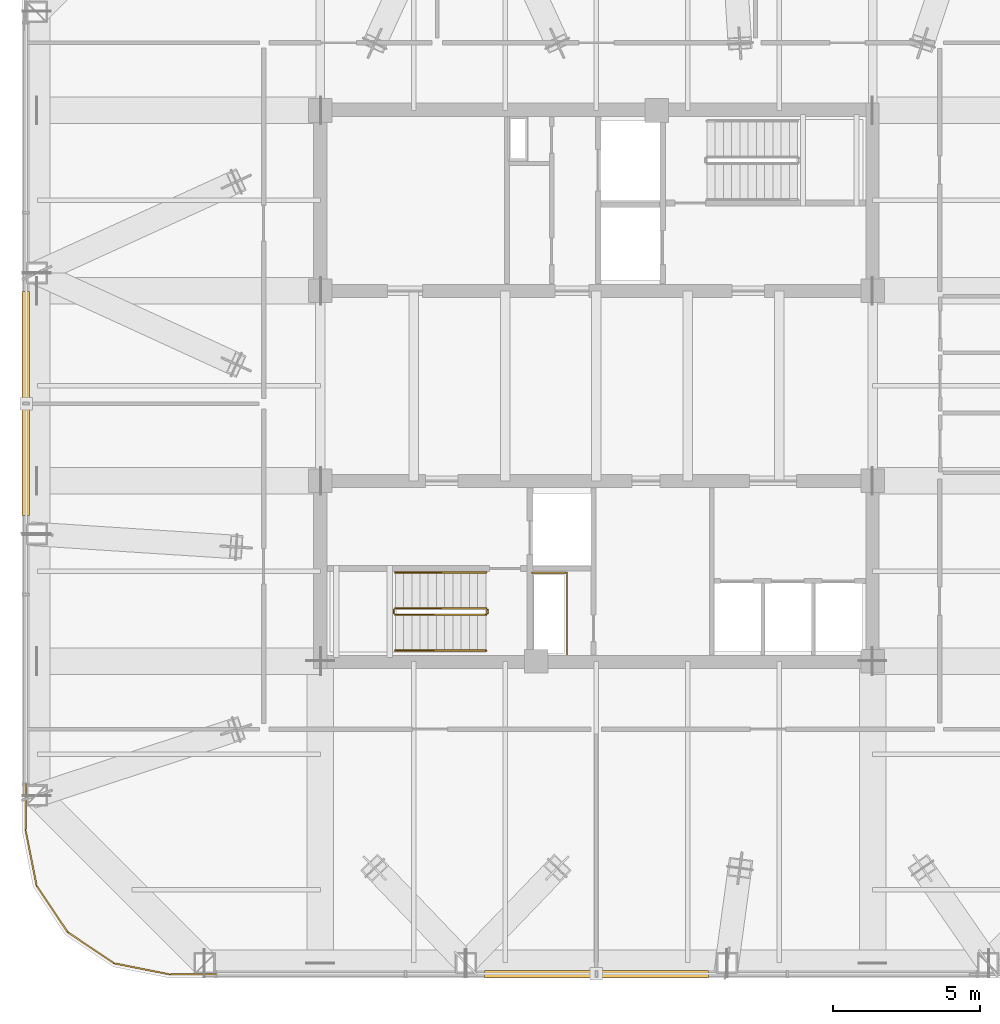
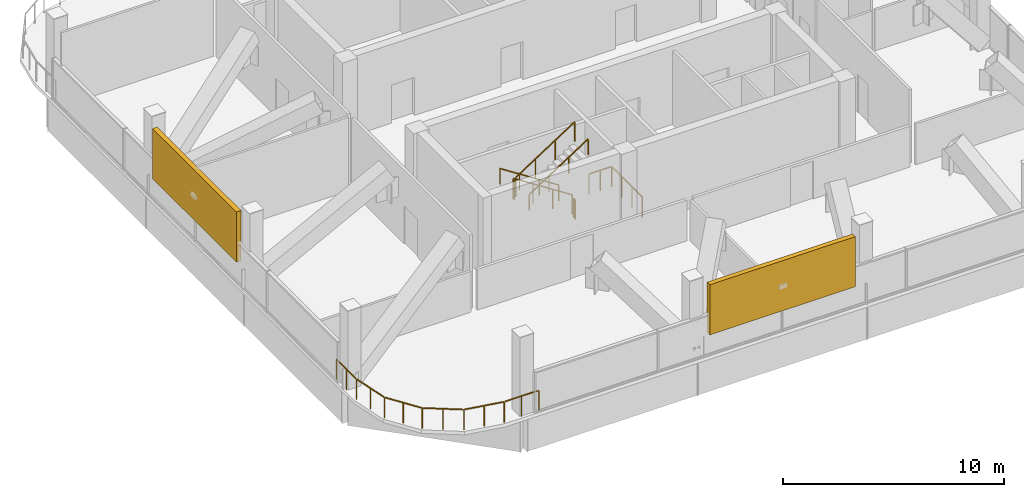
# One storey, part 17 of 19: 8 railings, 2 shading devices.
"""IFC4 building model written with IfcOpenShell, lengths in metres."""

from ifc_helpers import new_model, si_unit, direction, frame, origin, origin_2d, place, context, subcontext, project, spatial, rectangle, extrude, material, type_object, element, save


model = new_model("IFC4")

# Units and contexts
model_context = context("Model", 3, precision=1e-05, world=origin(), true_north=direction((0.0, 1.0)))
body_context = subcontext(model_context, "Body", "Model", "MODEL_VIEW")
ifc_project = project(units=[si_unit("LENGTHUNIT", "METRE"), si_unit("AREAUNIT", "SQUARE_METRE"), si_unit("VOLUMEUNIT", "CUBIC_METRE"), si_unit("PLANEANGLEUNIT", "RADIAN"), si_unit("MASSUNIT", "GRAM", prefix="KILO")], contexts=[model_context])

# Site, building, storey
site_placement = place(None, origin())
site = spatial("IfcSite", under=ifc_project, at=site_placement, CompositionType="ELEMENT")
building_placement = place(site_placement, origin())
building = spatial("IfcBuilding", under=site, at=building_placement, Name="Qhalaya Broadcast Tower", CompositionType="ELEMENT")
storey_placement = place(building_placement, frame((0.0, 0.0, 226.949951171875)))
storey = spatial("IfcBuildingStorey", under=building, at=storey_placement, Name="L67", CompositionType="ELEMENT", Elevation=226.949951171875)

# Railings
ifc_material_1 = material(Name="Powder-Coated Galvanised Steel", Category="steel")
railing_type_1 = type_object("IfcRailingType", Name="Stair Wall Handrail 900", PredefinedType="HANDRAIL", material=ifc_material_1)
railing_1_placement = place(storey_placement, frame((-3.75, -5.72998046875, 0.181396484375)))
element("IfcRailing", 1, at=railing_1_placement, inside=storey, type_object=railing_type_1, Name="L67 ST-2 Stair Handrail 1", PredefinedType="HANDRAIL", context=body_context, shape_type="SweptSolid", body=[
    extrude(rectangle(XDim=0.048095703125, YDim=0.048095703125, at=origin_2d()), frame((0.0, 0.0, 0.8759765625), z_axis=(-0.839488025565, 0.0, 0.543378187759), x_axis=(0.0, -1.0, 0.0)), (0.0, 0.0, 1.0), 3.6689453125),
    extrude(rectangle(XDim=0.0419921875, YDim=0.0419921875, at=origin_2d()), origin(), (0.0, 0.0, 1.0), 0.849853515625),
    extrude(rectangle(XDim=0.0419921875, YDim=0.0419921875, at=origin_2d()), frame((-1.026611328125, 0.0, 0.66455078125)), (0.0, 0.0, 1.0), 0.849853515625),
    extrude(rectangle(XDim=0.0419921875, YDim=0.0419921875, at=origin_2d()), frame((-2.053466796875, 0.0, 1.3291015625)), (0.0, 0.0, 1.0), 0.849853515625),
    extrude(rectangle(XDim=0.0419921875, YDim=0.0419921875, at=origin_2d()), frame((-3.080078125, 0.0, 1.99365234375)), (0.0, 0.0, 1.0), 0.849853515625),
])
railing_2_placement = place(storey_placement, frame((-6.830078125, -8.389892578125, 2.356201171875)))
element("IfcRailing", 2, at=railing_2_placement, inside=storey, type_object=railing_type_1, Name="L67 ST-2 Stair Handrail 2", PredefinedType="HANDRAIL", context=body_context, shape_type="SweptSolid", body=[
    extrude(rectangle(XDim=0.048095703125, YDim=0.048095703125, at=origin_2d()), frame((0.0, 0.0, 0.8759765625), z_axis=(0.8394576718, 0.0, 0.543425079708), x_axis=(0.0, 1.0, 0.0)), (0.0, 0.0, 1.0), 3.669189453125),
    extrude(rectangle(XDim=0.0419921875, YDim=0.0419921875, at=origin_2d()), origin(), (0.0, 0.0, 1.0), 0.849853515625),
    extrude(rectangle(XDim=0.0419921875, YDim=0.0419921875, at=origin_2d()), frame((1.026611328125, 0.0, 0.66455078125)), (0.0, 0.0, 1.0), 0.849853515625),
    extrude(rectangle(XDim=0.0419921875, YDim=0.0419921875, at=origin_2d()), frame((2.053466796875, 0.0, 1.329345703125)), (0.0, 0.0, 1.0), 0.849853515625),
    extrude(rectangle(XDim=0.0419921875, YDim=0.0419921875, at=origin_2d()), frame((3.080078125, 0.0, 1.993896484375)), (0.0, 0.0, 1.0), 0.849853515625),
])
railing_type_2 = type_object("IfcRailingType", Name="Stair Well & Landing Guardrail 1100", PredefinedType="GUARDRAIL", material=ifc_material_1)
railing_3_placement = place(storey_placement, frame((-1.0, -8.52001953125, 0.0)))
element("IfcRailing", 3, at=railing_3_placement, inside=storey, type_object=railing_type_2, Name="L67 Service Riser Opening Safety Guard SRSR", PredefinedType="GUARDRAIL", context=body_context, shape_type="SweptSolid", body=[
    extrude(rectangle(XDim=0.048095703125, YDim=0.048095703125, at=origin_2d()), frame((0.0, 0.0, 1.1259765625), z_axis=(0.0, 1.0, 0.0), x_axis=(-1.0, 0.0, 0.0)), (0.0, 0.0, 1.0), 2.751220703125),
    extrude(rectangle(XDim=0.048095703125, YDim=0.048095703125, at=origin_2d()), frame((-0.02880859375, 2.780029296875, 1.1259765625), z_axis=(-1.0, 0.0, 0.0), x_axis=(0.0, -1.0, 0.0)), (0.0, 0.0, 1.0), 1.151123046875),
    extrude(rectangle(XDim=0.0419921875, YDim=0.0419921875, at=origin_2d()), origin(), (0.0, 0.0, 1.0), 1.099853515625),
    extrude(rectangle(XDim=0.0419921875, YDim=0.0419921875, at=origin_2d()), frame((0.0, 0.9267578125, 0.0)), (0.0, 0.0, 1.0), 1.099853515625),
    extrude(rectangle(XDim=0.0419921875, YDim=0.0419921875, at=origin_2d()), frame((0.0, 1.853271484375, 0.0)), (0.0, 0.0, 1.0), 1.099853515625),
    extrude(rectangle(XDim=0.0419921875, YDim=0.0419921875, at=origin_2d()), frame((0.0, 2.780029296875, 0.0)), (0.0, 0.0, 1.0), 1.099853515625),
    extrude(rectangle(XDim=0.0419921875, YDim=0.0419921875, at=origin_2d()), frame((-0.58984375, 2.780029296875, 0.0)), (0.0, 0.0, 1.0), 1.099853515625),
    extrude(rectangle(XDim=0.0419921875, YDim=0.0419921875, at=origin_2d()), frame((-1.179931640625, 2.780029296875, 0.0)), (0.0, 0.0, 1.0), 1.099853515625),
])
railing_4_placement = place(storey_placement, frame((-3.75, -6.949951171875, 0.181396484375)))
element("IfcRailing", 4, at=railing_4_placement, inside=storey, type_object=railing_type_2, Name="L67 ST-2 Stair Guard 1", PredefinedType="GUARDRAIL", context=body_context, shape_type="SweptSolid", body=[
    extrude(rectangle(XDim=0.048095703125, YDim=0.048095703125, at=origin_2d()), frame((0.0, 0.0, 1.076171875), z_axis=(-0.839488025565, 0.0, 0.543378187759), x_axis=(0.0, -1.0, 0.0)), (0.0, 0.0, 1.0), 3.6689453125),
    extrude(rectangle(XDim=0.0419921875, YDim=0.0419921875, at=origin_2d()), origin(), (0.0, 0.0, 1.0), 1.050048828125),
    extrude(rectangle(XDim=0.0419921875, YDim=0.0419921875, at=origin_2d()), frame((-1.026611328125, 0.0, 0.66455078125)), (0.0, 0.0, 1.0), 1.050048828125),
    extrude(rectangle(XDim=0.0419921875, YDim=0.0419921875, at=origin_2d()), frame((-2.053466796875, 0.0, 1.3291015625)), (0.0, 0.0, 1.0), 1.050048828125),
    extrude(rectangle(XDim=0.0419921875, YDim=0.0419921875, at=origin_2d()), frame((-3.080078125, 0.0, 1.99365234375)), (0.0, 0.0, 1.0), 1.050048828125),
])
railing_5_placement = place(storey_placement, frame((-6.8798828125, -7.0, 2.175048828125)))
element("IfcRailing", 5, at=railing_5_placement, inside=storey, type_object=railing_type_2, Name="L67 ST-2 Stair Guard 2", PredefinedType="GUARDRAIL", context=body_context, shape_type="SweptSolid", body=[
    extrude(rectangle(XDim=0.048095703125, YDim=0.048095703125, at=origin_2d()), frame((0.0, 0.0, 1.076171875), z_axis=(0.0, -1.0, 0.0), x_axis=(1.0, 0.0, 0.0)), (0.0, 0.0, 1.0), 0.1201171875),
    extrude(rectangle(XDim=0.0419921875, YDim=0.0419921875, at=origin_2d()), origin(), (0.0, 0.0, 1.0), 1.050048828125),
    extrude(rectangle(XDim=0.0419921875, YDim=0.0419921875, at=origin_2d()), frame((0.0, -0.1201171875, 0.0)), (0.0, 0.0, 1.0), 1.050048828125),
])
railing_6_placement = place(storey_placement, frame((-6.830078125, -7.169921875, 2.356201171875)))
element("IfcRailing", 6, at=railing_6_placement, inside=storey, type_object=railing_type_2, Name="L67 ST-2 Stair Guard 3", PredefinedType="GUARDRAIL", context=body_context, shape_type="SweptSolid", body=[
    extrude(rectangle(XDim=0.048095703125, YDim=0.048095703125, at=origin_2d()), frame((0.0, 0.0, 1.076171875), z_axis=(0.8394576718, 0.0, 0.543425079708), x_axis=(0.0, 1.0, 0.0)), (0.0, 0.0, 1.0), 3.669189453125),
    extrude(rectangle(XDim=0.0419921875, YDim=0.0419921875, at=origin_2d()), origin(), (0.0, 0.0, 1.0), 1.050048828125),
    extrude(rectangle(XDim=0.0419921875, YDim=0.0419921875, at=origin_2d()), frame((1.026611328125, 0.0, 0.66455078125)), (0.0, 0.0, 1.0), 1.050048828125),
    extrude(rectangle(XDim=0.0419921875, YDim=0.0419921875, at=origin_2d()), frame((2.053466796875, 0.0, 1.329345703125)), (0.0, 0.0, 1.0), 1.050048828125),
    extrude(rectangle(XDim=0.0419921875, YDim=0.0419921875, at=origin_2d()), frame((3.080078125, 0.0, 1.993896484375)), (0.0, 0.0, 1.0), 1.050048828125),
])
railing_7_placement = place(storey_placement, frame((-3.699951171875, -7.0, 0.0)))
element("IfcRailing", 7, at=railing_7_placement, inside=storey, type_object=railing_type_2, Name="L67 ST-2 Stair Guard 4", PredefinedType="GUARDRAIL", context=body_context, shape_type="SweptSolid", body=[
    extrude(rectangle(XDim=0.048095703125, YDim=0.048095703125, at=origin_2d()), frame((0.0, 0.0, 1.076171875), z_axis=(0.0, -1.0, 0.0), x_axis=(1.0, 0.0, 0.0)), (0.0, 0.0, 1.0), 0.1201171875),
    extrude(rectangle(XDim=0.0419921875, YDim=0.0419921875, at=origin_2d()), origin(), (0.0, 0.0, 1.0), 1.050048828125),
    extrude(rectangle(XDim=0.0419921875, YDim=0.0419921875, at=origin_2d()), frame((0.0, -0.1201171875, 0.0)), (0.0, 0.0, 1.0), 1.050048828125),
])
railing_type_3 = type_object("IfcRailingType", Name="Terrace, Sky-Pool & Lookout Glass Balustrade 1150", PredefinedType="BALUSTRADE", material=ifc_material_1)
railing_8_placement = place(storey_placement, frame((-12.681884765625, -19.3798828125, 0.0)))
element("IfcRailing", 8, at=railing_8_placement, inside=storey, type_object=railing_type_3, Name="L67 Rounded Corner Perimeter Guard 02", PredefinedType="BALUSTRADE", context=body_context, shape_type="SweptSolid", body=[
    extrude(rectangle(XDim=0.048095703125, YDim=0.048095703125, at=origin_2d()), frame((0.0, 0.0, 1.1259765625), z_axis=(-1.0, 0.0, 0.0), x_axis=(0.0, -1.0, 0.0)), (0.0, 0.0, 1.0), 1.777587890625),
    extrude(rectangle(XDim=0.048095703125, YDim=0.048095703125, at=origin_2d()), frame((-1.834716796875, 0.005615234375, 1.1259765625), z_axis=(-0.980795810058, 0.195037378397, 0.0), x_axis=(-0.195037378397, -0.980795810058, 0.0)), (0.0, 0.0, 1.0), 1.857421875),
    extrude(rectangle(XDim=0.048095703125, YDim=0.048095703125, at=origin_2d()), frame((-3.708740234375, 0.3896484375, 1.1259765625), z_axis=(-0.831437950597, 0.555617615188, 0.0), x_axis=(-0.555617615188, -0.831437950597, 0.0)), (0.0, 0.0, 1.0), 1.845458984375),
    extrude(rectangle(XDim=0.048095703125, YDim=0.048095703125, at=origin_2d()), frame((-5.283203125, 1.454833984375, 1.1259765625), z_axis=(-0.555617615188, 0.831437950597, 0.0), x_axis=(-0.831437950597, -0.555617615188, 0.0)), (0.0, 0.0, 1.0), 1.845458984375),
    extrude(rectangle(XDim=0.048095703125, YDim=0.048095703125, at=origin_2d()), frame((-6.330078125, 3.04150390625, 1.1259765625), z_axis=(-0.195037378397, 0.980795810058, 0.0), x_axis=(-0.980795810058, -0.195037378397, 0.0)), (0.0, 0.0, 1.0), 1.857421875),
    extrude(rectangle(XDim=0.048095703125, YDim=0.048095703125, at=origin_2d()), frame((-6.697998046875, 4.92041015625, 1.1259765625), z_axis=(0.0, 1.0, 0.0), x_axis=(-1.0, 0.0, 0.0)), (0.0, 0.0, 1.0), 1.777587890625),
    extrude(rectangle(XDim=0.0419921875, YDim=0.0419921875, at=origin_2d()), origin(), (0.0, 0.0, 1.0), 1.099853515625),
    extrude(rectangle(XDim=0.0419921875, YDim=0.0419921875, at=origin_2d()), frame((-0.9033203125, 0.0, 0.0)), (0.0, 0.0, 1.0), 1.099853515625),
    extrude(rectangle(XDim=0.0419921875, YDim=0.0419921875, at=origin_2d()), frame((-1.806396484375, 0.0, 0.0)), (0.0, 0.0, 1.0), 1.099853515625),
    extrude(rectangle(XDim=0.0419921875, YDim=0.0419921875, at=origin_2d()), frame((-2.74560546875, 0.186767578125, 0.0)), (0.0, 0.0, 1.0), 1.099853515625),
    extrude(rectangle(XDim=0.0419921875, YDim=0.0419921875, at=origin_2d()), frame((-3.684814453125, 0.37353515625, 0.0)), (0.0, 0.0, 1.0), 1.099853515625),
    extrude(rectangle(XDim=0.0419921875, YDim=0.0419921875, at=origin_2d()), frame((-4.47607421875, 0.90234375, 0.0)), (0.0, 0.0, 1.0), 1.099853515625),
    extrude(rectangle(XDim=0.0419921875, YDim=0.0419921875, at=origin_2d()), frame((-5.26708984375, 1.430908203125, 0.0)), (0.0, 0.0, 1.0), 1.099853515625),
    extrude(rectangle(XDim=0.0419921875, YDim=0.0419921875, at=origin_2d()), frame((-5.7958984375, 2.22216796875, 0.0)), (0.0, 0.0, 1.0), 1.099853515625),
    extrude(rectangle(XDim=0.0419921875, YDim=0.0419921875, at=origin_2d()), frame((-6.324462890625, 3.01318359375, 0.0)), (0.0, 0.0, 1.0), 1.099853515625),
    extrude(rectangle(XDim=0.0419921875, YDim=0.0419921875, at=origin_2d()), frame((-6.51123046875, 3.952392578125, 0.0)), (0.0, 0.0, 1.0), 1.099853515625),
    extrude(rectangle(XDim=0.0419921875, YDim=0.0419921875, at=origin_2d()), frame((-6.697998046875, 4.8916015625, 0.0)), (0.0, 0.0, 1.0), 1.099853515625),
    extrude(rectangle(XDim=0.0419921875, YDim=0.0419921875, at=origin_2d()), frame((-6.697998046875, 5.794921875, 0.0)), (0.0, 0.0, 1.0), 1.099853515625),
    extrude(rectangle(XDim=0.0419921875, YDim=0.0419921875, at=origin_2d()), frame((-6.697998046875, 6.697998046875, 0.0)), (0.0, 0.0, 1.0), 1.099853515625),
])

# Shading devices
ifc_material_2 = material(Name="Fired Architectural Terracotta", Category="masonry")
shading_device_type = type_object("IfcShadingDeviceType", Name="Terracotta Baguette Solar Screen Assembly TBS-01", PredefinedType="USERDEFINED", material=ifc_material_2)
for number, where, z_axis, x_axis, name in (
    (9, (0.0, -19.360107421875, 1.139404296875), (0.0, 0.0, 1.0), (1.0, 0.0, 0.0), "L67 Fired Terracotta Baguette Screen S"),
    (10, (-19.360107421875, 0.0, 1.139404296875), (0.0, 0.0, 1.0), (0.0, -1.0, 0.0), "L67 Fired Terracotta Baguette Screen W"),
):
    element("IfcShadingDevice", number, at=place(storey_placement, frame(where, z_axis=z_axis, x_axis=x_axis)), inside=storey, type_object=shading_device_type, Name=name, ObjectType="BAGUETTE", PredefinedType="USERDEFINED", context=body_context, shape_type="SweptSolid", body=[
        extrude(rectangle(XDim=7.60009765625, YDim=0.239990234375, at=origin_2d()), origin(), (0.0, 0.0, 1.0), 2.76806640625),
    ])

save(model, "model.ifc")
